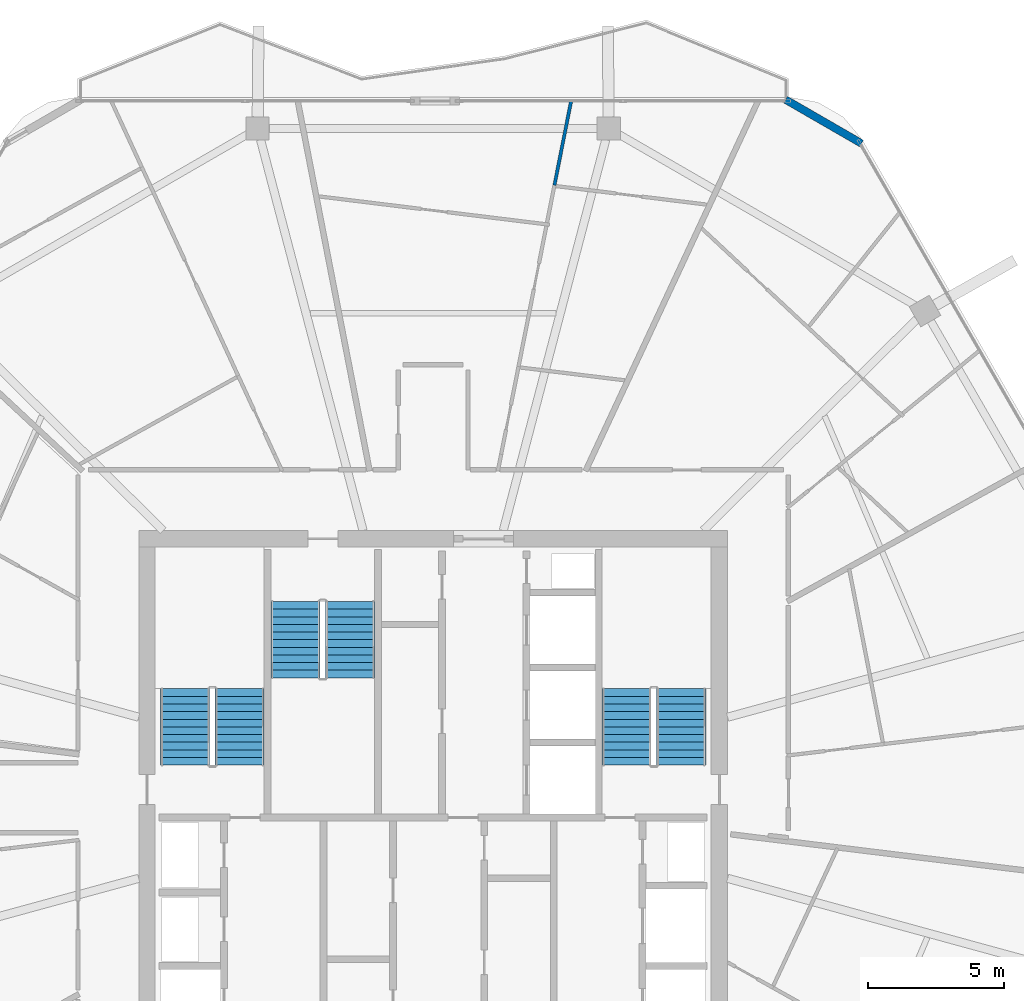
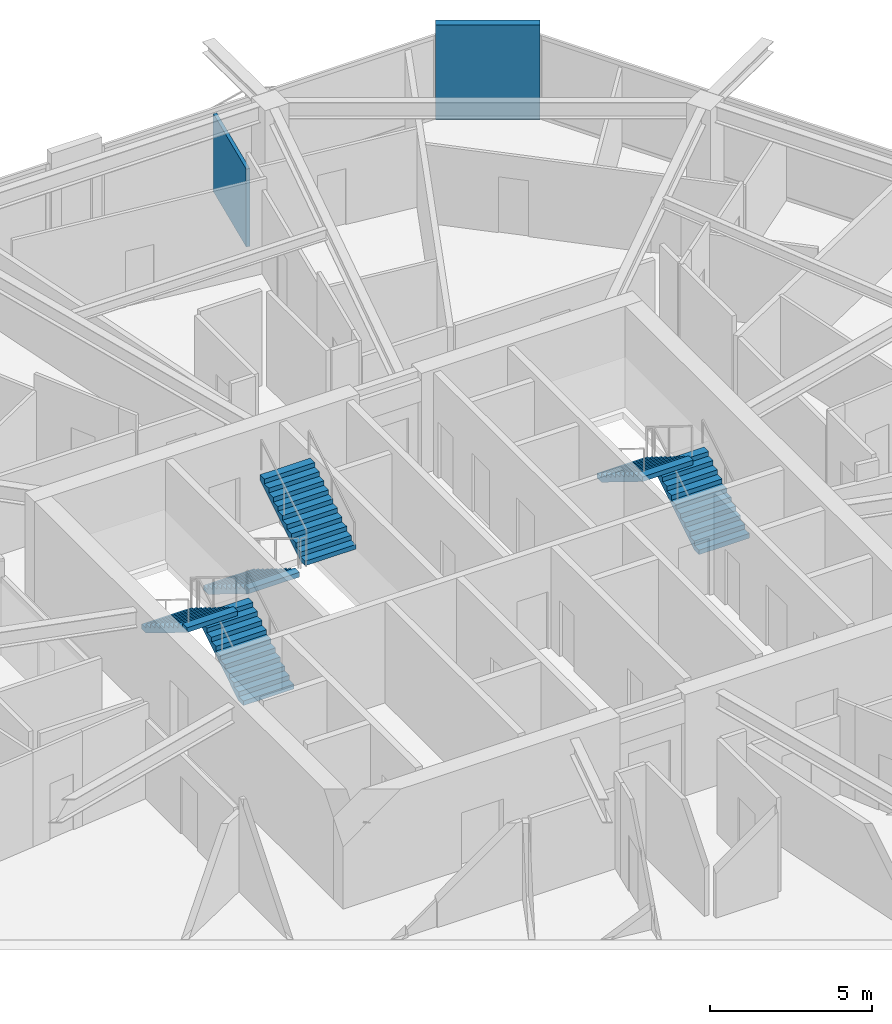
# One storey, part 24 of 27: 6 stair flights, 2 walls, 3 elements without a shape of their own.
"""IFC4 building model written with IfcOpenShell, lengths in metres."""

from ifc_helpers import new_model, si_unit, direction, frame, frame_2d, origin, place, context, subcontext, project, spatial, polyline, rectangle, outline, extrude, material, layer, layer_set, type_object, element, aggregate, save


model = new_model("IFC4")

# Units and contexts
model_context = context("Model", 3, precision=1e-05, world=origin(), true_north=direction((0.0, 1.0)))
body_context = subcontext(model_context, "Body", "Model", "MODEL_VIEW")
ifc_project = project(units=[si_unit("LENGTHUNIT", "METRE"), si_unit("AREAUNIT", "SQUARE_METRE"), si_unit("VOLUMEUNIT", "CUBIC_METRE"), si_unit("PLANEANGLEUNIT", "RADIAN"), si_unit("MASSUNIT", "GRAM", prefix="KILO")], contexts=[model_context])

# Site, building, storey
site_placement = place(None, origin())
site = spatial("IfcSite", under=ifc_project, at=site_placement, CompositionType="ELEMENT")
building_placement = place(site_placement, origin())
building = spatial("IfcBuilding", under=site, at=building_placement, Name="Zuhravey Tower", CompositionType="ELEMENT")
storey_placement = place(building_placement, frame((0.0, 0.0, 265.39990234375)))
storey = spatial("IfcBuildingStorey", under=building, at=storey_placement, Name="L67", CompositionType="ELEMENT", Elevation=265.39990234375)

# Walls
ifc_material_1 = material(Name="Precast concrete C40/50", Category="concrete")
ifc_layer_1 = layer(ifc_material_1, 0.280029296875)
ifc_layer_set_1 = layer_set([ifc_layer_1], Name="Precast concrete C40/50")
wall_type_1 = type_object("IfcWallType", Name="Crown Architectural Wall 280", PredefinedType="SOLIDWALL", material=ifc_layer_set_1)
wall_1_placement = place(storey_placement, frame((48.930419921875, 57.611083984375, 0.0), z_axis=(0.0, 0.0, 1.0), x_axis=(0.866028773314, -0.499994163758, 0.0)))
element("IfcWall", 1, at=wall_1_placement, inside=storey, type_object=wall_type_1, Name="L67 Rounded Corner Closure Wall EW28-10", PredefinedType="SOLIDWALL", context=body_context, shape_type="SweptSolid", body=[
    extrude(rectangle(XDim=3.21484375, YDim=0.280029296875, at=frame_2d((1.607421875, 0.0))), origin(), (0.0, 0.0, 1.0), 3.550048828125),
])
ifc_material_2 = material(Name="Gypsum metal-stud partition")
ifc_layer_2 = layer(ifc_material_2, 0.1201171875)
ifc_layer_set_2 = layer_set([ifc_layer_2], Name="Gypsum metal-stud partition")
wall_type_2 = type_object("IfcWallType", Name="Unit Internal Partition 120", PredefinedType="PARTITIONING", material=ifc_layer_set_2)
wall_2_placement = place(storey_placement, frame((40.44970703125, 54.472412109375, 0.0), z_axis=(0.0, 0.0, 1.0), x_axis=(0.194226638518, 0.980956682474, 0.0)))
element("IfcWall", 2, at=wall_2_placement, inside=storey, type_object=wall_type_2, Name="L67 IW12 Partition 107", PredefinedType="PARTITIONING", context=body_context, shape_type="SweptSolid", body=[
    extrude(rectangle(XDim=3.15625, YDim=0.1201171875, at=frame_2d((1.578125, 0.0))), origin(), (0.0, 0.0, 1.0), 2.93017578125),
])

# Stair, stair flights
ifc_material_3 = material(Name="Concrete C40/50", Category="concrete")
stair_type = type_object("IfcStairType", Name="Housing Storey Stair Assembly 3800", PredefinedType="HALF_TURN_STAIR", material=ifc_material_3)
stair_1_placement = place(storey_placement, origin())
stair_1 = element("IfcStair", 3, at=stair_1_placement, inside=storey, type_object=stair_type, Name="L67 Core Exit Stair ST1", PredefinedType="HALF_TURN_STAIR")
stair_flight_type = type_object("IfcStairFlightType", Name="Housing Storey Stair Flight 3800", PredefinedType="STRAIGHT", material=ifc_material_3)
stair_flight_1_placement = place(storey_placement, frame((28.89990234375, 33.199951171875, 0.0), z_axis=(0.0, 0.0, 1.0), x_axis=(0.0, 1.0, 0.0)))
stair_flight_1 = element("IfcStairFlight", 4, at=stair_flight_1_placement, type_object=stair_flight_type, Name="ST1 flight 1", NumberOfRisers=11, NumberOfTreads=10, PredefinedType="STRAIGHT", RiserHeight=0.172727273, TreadLength=0.28, context=body_context, shape_type="SweptSolid", body=[
    extrude(outline(polyline([(0.0, 0.0), (0.0, 0.172607421875), (0.280029296875, 0.172607421875), (0.280029296875, 0.345458984375), (0.56005859375, 0.345458984375), (0.56005859375, 0.51806640625), (0.840087890625, 0.51806640625), (0.840087890625, 0.69091796875), (1.1201171875, 0.69091796875), (1.1201171875, 0.863525390625), (1.39990234375, 0.863525390625), (1.39990234375, 1.036376953125), (1.679931640625, 1.036376953125), (1.679931640625, 1.208984375), (1.9599609375, 1.208984375), (1.9599609375, 1.3818359375), (2.239990234375, 1.3818359375), (2.239990234375, 1.554443359375), (2.52001953125, 1.554443359375), (2.52001953125, 1.727294921875), (2.800048828125, 1.727294921875), (2.800048828125, 1.89990234375), (2.800048828125, 1.551025390625), (0.285400390625, 0.0), (0.0, 0.0)])), frame((0.0, 0.89990234375, 0.0), z_axis=(0.0, -1.0, 0.0), x_axis=(1.0, 0.0, 0.0)), (0.0, 0.0, 1.0), 1.800048828125),
])
stair_flight_2_placement = place(storey_placement, frame((26.89990234375, 36.0, 1.900146484375), z_axis=(0.0, 0.0, 1.0), x_axis=(0.0, -1.0, 0.0)))
stair_flight_2 = element("IfcStairFlight", 5, at=stair_flight_2_placement, type_object=stair_flight_type, Name="ST1 flight 2", NumberOfRisers=11, NumberOfTreads=10, PredefinedType="STRAIGHT", RiserHeight=0.172727273, TreadLength=0.28, context=body_context, shape_type="SweptSolid", body=[
    extrude(outline(polyline([(0.0, 0.0), (0.0, 0.172607421875), (0.280029296875, 0.172607421875), (0.280029296875, 0.345458984375), (0.56005859375, 0.345458984375), (0.56005859375, 0.51806640625), (0.840087890625, 0.51806640625), (0.840087890625, 0.69091796875), (1.1201171875, 0.69091796875), (1.1201171875, 0.863525390625), (1.39990234375, 0.863525390625), (1.39990234375, 1.036376953125), (1.679931640625, 1.036376953125), (1.679931640625, 1.208984375), (1.9599609375, 1.208984375), (1.9599609375, 1.3818359375), (2.239990234375, 1.3818359375), (2.239990234375, 1.554443359375), (2.52001953125, 1.554443359375), (2.52001953125, 1.727294921875), (2.800048828125, 1.727294921875), (2.800048828125, 1.89990234375), (2.800048828125, 1.551025390625), (0.285400390625, 0.0), (0.0, 0.0)])), frame((0.0, 0.89990234375, 0.0), z_axis=(0.0, -1.0, 0.0), x_axis=(1.0, 0.0, 0.0)), (0.0, 0.0, 1.0), 1.800048828125),
])
aggregate(stair_1, [stair_flight_1, stair_flight_2])

stair_2_placement = place(storey_placement, origin())
stair_2 = element("IfcStair", 6, at=stair_2_placement, inside=storey, type_object=stair_type, Name="L67 Core Exit Stair ST2", PredefinedType="HALF_TURN_STAIR")
stair_flight_3_placement = place(storey_placement, frame((45.10009765625, 33.199951171875, 0.0), z_axis=(0.0, 0.0, 1.0), x_axis=(0.0, 1.0, 0.0)))
stair_flight_3 = element("IfcStairFlight", 7, at=stair_flight_3_placement, type_object=stair_flight_type, Name="ST2 flight 1", NumberOfRisers=11, NumberOfTreads=10, PredefinedType="STRAIGHT", RiserHeight=0.172727273, TreadLength=0.28, context=body_context, shape_type="SweptSolid", body=[
    extrude(outline(polyline([(0.0, 0.0), (0.0, 0.172607421875), (0.280029296875, 0.172607421875), (0.280029296875, 0.345458984375), (0.56005859375, 0.345458984375), (0.56005859375, 0.51806640625), (0.840087890625, 0.51806640625), (0.840087890625, 0.69091796875), (1.1201171875, 0.69091796875), (1.1201171875, 0.863525390625), (1.39990234375, 0.863525390625), (1.39990234375, 1.036376953125), (1.679931640625, 1.036376953125), (1.679931640625, 1.208984375), (1.9599609375, 1.208984375), (1.9599609375, 1.3818359375), (2.239990234375, 1.3818359375), (2.239990234375, 1.554443359375), (2.52001953125, 1.554443359375), (2.52001953125, 1.727294921875), (2.800048828125, 1.727294921875), (2.800048828125, 1.89990234375), (2.800048828125, 1.551025390625), (0.285400390625, 0.0), (0.0, 0.0)])), frame((0.0, 0.89990234375, 0.0), z_axis=(0.0, -1.0, 0.0), x_axis=(1.0, 0.0, 0.0)), (0.0, 0.0, 1.0), 1.800048828125),
])
stair_flight_4_placement = place(storey_placement, frame((43.10009765625, 36.0, 1.900146484375), z_axis=(0.0, 0.0, 1.0), x_axis=(0.0, -1.0, 0.0)))
stair_flight_4 = element("IfcStairFlight", 8, at=stair_flight_4_placement, type_object=stair_flight_type, Name="ST2 flight 2", NumberOfRisers=11, NumberOfTreads=10, PredefinedType="STRAIGHT", RiserHeight=0.172727273, TreadLength=0.28, context=body_context, shape_type="SweptSolid", body=[
    extrude(outline(polyline([(0.0, 0.0), (0.0, 0.172607421875), (0.280029296875, 0.172607421875), (0.280029296875, 0.345458984375), (0.56005859375, 0.345458984375), (0.56005859375, 0.51806640625), (0.840087890625, 0.51806640625), (0.840087890625, 0.69091796875), (1.1201171875, 0.69091796875), (1.1201171875, 0.863525390625), (1.39990234375, 0.863525390625), (1.39990234375, 1.036376953125), (1.679931640625, 1.036376953125), (1.679931640625, 1.208984375), (1.9599609375, 1.208984375), (1.9599609375, 1.3818359375), (2.239990234375, 1.3818359375), (2.239990234375, 1.554443359375), (2.52001953125, 1.554443359375), (2.52001953125, 1.727294921875), (2.800048828125, 1.727294921875), (2.800048828125, 1.89990234375), (2.800048828125, 1.551025390625), (0.285400390625, 0.0), (0.0, 0.0)])), frame((0.0, 0.89990234375, 0.0), z_axis=(0.0, -1.0, 0.0), x_axis=(1.0, 0.0, 0.0)), (0.0, 0.0, 1.0), 1.800048828125),
])
aggregate(stair_2, [stair_flight_3, stair_flight_4])

stair_3_placement = place(storey_placement, origin())
stair_3 = element("IfcStair", 9, at=stair_3_placement, inside=storey, type_object=stair_type, Name="L67 Core Exit Stair ST3", PredefinedType="HALF_TURN_STAIR")
stair_flight_5_placement = place(storey_placement, frame((30.949951171875, 39.199951171875, 0.0), z_axis=(0.0, 0.0, 1.0), x_axis=(0.0, -1.0, 0.0)))
stair_flight_5 = element("IfcStairFlight", 10, at=stair_flight_5_placement, type_object=stair_flight_type, Name="ST3 flight 1", NumberOfRisers=11, NumberOfTreads=10, PredefinedType="STRAIGHT", RiserHeight=0.172727273, TreadLength=0.28, context=body_context, shape_type="SweptSolid", body=[
    extrude(outline(polyline([(0.0, 0.0), (0.0, 0.172607421875), (0.280029296875, 0.172607421875), (0.280029296875, 0.345458984375), (0.56005859375, 0.345458984375), (0.56005859375, 0.51806640625), (0.840087890625, 0.51806640625), (0.840087890625, 0.69091796875), (1.1201171875, 0.69091796875), (1.1201171875, 0.863525390625), (1.39990234375, 0.863525390625), (1.39990234375, 1.036376953125), (1.679931640625, 1.036376953125), (1.679931640625, 1.208984375), (1.9599609375, 1.208984375), (1.9599609375, 1.3818359375), (2.239990234375, 1.3818359375), (2.239990234375, 1.554443359375), (2.52001953125, 1.554443359375), (2.52001953125, 1.727294921875), (2.800048828125, 1.727294921875), (2.800048828125, 1.89990234375), (2.800048828125, 1.551025390625), (0.285400390625, 0.0), (0.0, 0.0)])), frame((0.0, 0.89990234375, 0.0), z_axis=(0.0, -1.0, 0.0), x_axis=(1.0, 0.0, 0.0)), (0.0, 0.0, 1.0), 1.800048828125),
])
stair_flight_6_placement = place(storey_placement, frame((32.949951171875, 36.39990234375, 1.900146484375), z_axis=(0.0, 0.0, 1.0), x_axis=(0.0, 1.0, 0.0)))
stair_flight_6 = element("IfcStairFlight", 11, at=stair_flight_6_placement, type_object=stair_flight_type, Name="ST3 flight 2", NumberOfRisers=11, NumberOfTreads=10, PredefinedType="STRAIGHT", RiserHeight=0.172727273, TreadLength=0.28, context=body_context, shape_type="SweptSolid", body=[
    extrude(outline(polyline([(0.0, 0.0), (0.0, 0.172607421875), (0.280029296875, 0.172607421875), (0.280029296875, 0.345458984375), (0.56005859375, 0.345458984375), (0.56005859375, 0.51806640625), (0.840087890625, 0.51806640625), (0.840087890625, 0.69091796875), (1.1201171875, 0.69091796875), (1.1201171875, 0.863525390625), (1.39990234375, 0.863525390625), (1.39990234375, 1.036376953125), (1.679931640625, 1.036376953125), (1.679931640625, 1.208984375), (1.9599609375, 1.208984375), (1.9599609375, 1.3818359375), (2.239990234375, 1.3818359375), (2.239990234375, 1.554443359375), (2.52001953125, 1.554443359375), (2.52001953125, 1.727294921875), (2.800048828125, 1.727294921875), (2.800048828125, 1.89990234375), (2.800048828125, 1.551025390625), (0.285400390625, 0.0), (0.0, 0.0)])), frame((0.0, 0.89990234375, 0.0), z_axis=(0.0, -1.0, 0.0), x_axis=(1.0, 0.0, 0.0)), (0.0, 0.0, 1.0), 1.800048828125),
])
aggregate(stair_3, [stair_flight_5, stair_flight_6])

save(model, "model.ifc")
